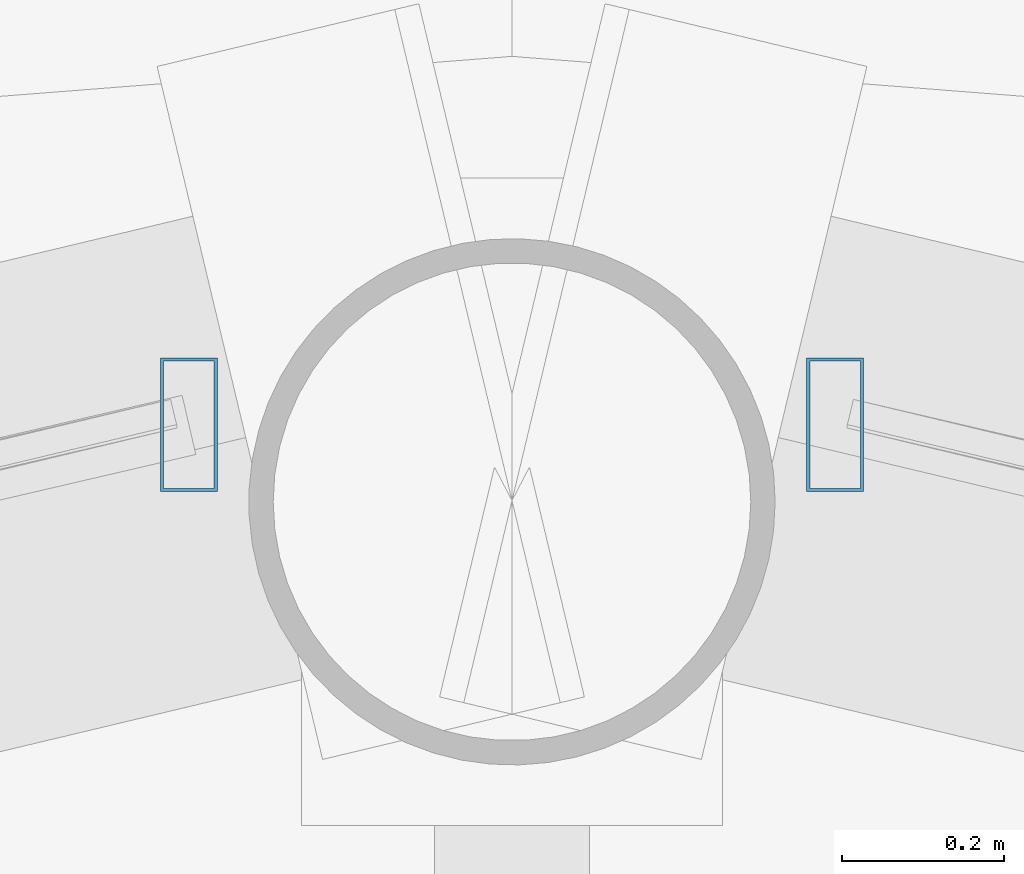
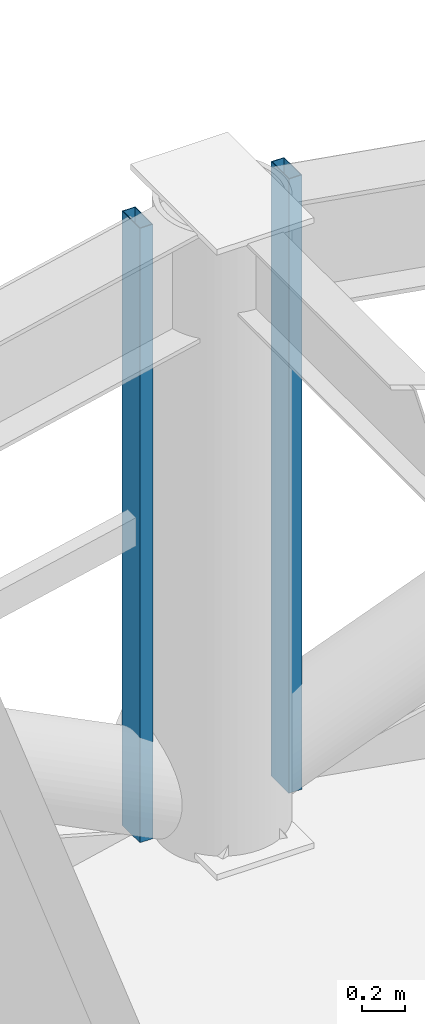
# One storey, part 19 of 30: 2 members, 2 elements without a shape of their own.
"""IFC4 building model written with IfcOpenShell, lengths in metres."""

from ifc_helpers import new_model, si_unit, direction, frame, origin, origin_2d, place, context, subcontext, project, spatial, hollow_rectangle, extrude, material, layer, layer_set, material_profile, profile_set, type_object, element, aggregate, save


model = new_model("IFC4")

# Units and contexts
model_context = context("Model", 3, precision=1e-05, world=origin(), true_north=direction((0.0, 1.0)))
body_context = subcontext(model_context, "Body", "Model", "MODEL_VIEW")
ifc_project = project(units=[si_unit("LENGTHUNIT", "METRE"), si_unit("AREAUNIT", "SQUARE_METRE"), si_unit("VOLUMEUNIT", "CUBIC_METRE"), si_unit("PLANEANGLEUNIT", "RADIAN"), si_unit("MASSUNIT", "GRAM", prefix="KILO")], contexts=[model_context])

# Site, building, storey
site_placement = place(None, origin())
site = spatial("IfcSite", under=ifc_project, at=site_placement, CompositionType="ELEMENT")
building_placement = place(site_placement, origin())
building = spatial("IfcBuilding", under=site, at=building_placement, Name="Vantalir Tower", CompositionType="ELEMENT")
storey_placement = place(building_placement, frame((0.0, 0.0, 189.89990234375)))
storey = spatial("IfcBuildingStorey", under=building, at=storey_placement, Name="L47", CompositionType="ELEMENT", Elevation=189.89990234375)

# Curtain wall, member
ifc_material_1 = material(Name="Champagne-silver PVDF aluminium and double-silver Low-E glass", Category="aluminium")
ifc_layer = layer(ifc_material_1, 0.2099609375)
ifc_layer_set = layer_set([ifc_layer], Name="Champagne-silver PVDF aluminium and double-silver Low-E glass")
curtain_wall_type = type_object("IfcCurtainWallType", Name="CW-DIAMOND-Z3", PredefinedType="USERDEFINED", material=ifc_layer_set)
curtain_wall_1_placement = place(storey_placement, origin())
curtain_wall_1 = element("IfcCurtainWall", 1, at=curtain_wall_1_placement, inside=storey, type_object=curtain_wall_type, Name="L47 Quilted Pyramid-Diamond Curtain Wall S03", ObjectType="UNITISED CURTAIN WALL", PredefinedType="USERDEFINED")
ifc_material_2 = material(Name="Champagne-silver PVDF aluminium 6063-T6", Category="aluminium")
ifc_material_profile = material_profile(ifc_material_2, hollow_rectangle(XDim=0.070068359375, YDim=0.1650390625, WallThickness=0.00390625, at=origin_2d()), Name="Champagne-silver PVDF aluminium 6063-T6")
ifc_profile_set = profile_set([ifc_material_profile], Name="Champagne-silver PVDF aluminium 6063-T6")
member_type = type_object("IfcMemberType", Name="CWM-165x70", PredefinedType="MULLION", material=ifc_profile_set)
member_1_placement = place(storey_placement, frame((31.89892578125, 45.282958984375, 0.045166015625), z_axis=(0.0, 0.0, 1.0), x_axis=(1.0, 0.0, 0.0)))
member_1 = element("IfcMember", 2, at=member_1_placement, type_object=member_type, Name="CW-L47-S03 Mullion 2", PredefinedType="MULLION", context=body_context, shape_type="SweptSolid", body=[
    extrude(hollow_rectangle(XDim=0.070068359375, YDim=0.1650390625, WallThickness=0.00390625, at=origin_2d()), origin(), (0.0, 0.0, 1.0), 3.47998046875),
])
aggregate(curtain_wall_1, [member_1])

curtain_wall_2_placement = place(storey_placement, origin())
curtain_wall_2 = element("IfcCurtainWall", 3, at=curtain_wall_2_placement, inside=storey, type_object=curtain_wall_type, Name="L47 Quilted Pyramid-Diamond Curtain Wall S04", ObjectType="UNITISED CURTAIN WALL", PredefinedType="USERDEFINED")
member_2_placement = place(storey_placement, frame((31.10107421875, 45.282958984375, 0.045166015625), z_axis=(0.0, 0.0, 1.0), x_axis=(1.0, 0.0, 0.0)))
member_2 = element("IfcMember", 4, at=member_2_placement, type_object=member_type, Name="CW-L47-S04 Mullion 1", PredefinedType="MULLION", context=body_context, shape_type="SweptSolid", body=[
    extrude(hollow_rectangle(XDim=0.070068359375, YDim=0.1650390625, WallThickness=0.00390625, at=origin_2d()), origin(), (0.0, 0.0, 1.0), 3.47998046875),
])
aggregate(curtain_wall_2, [member_2])

save(model, "model.ifc")
